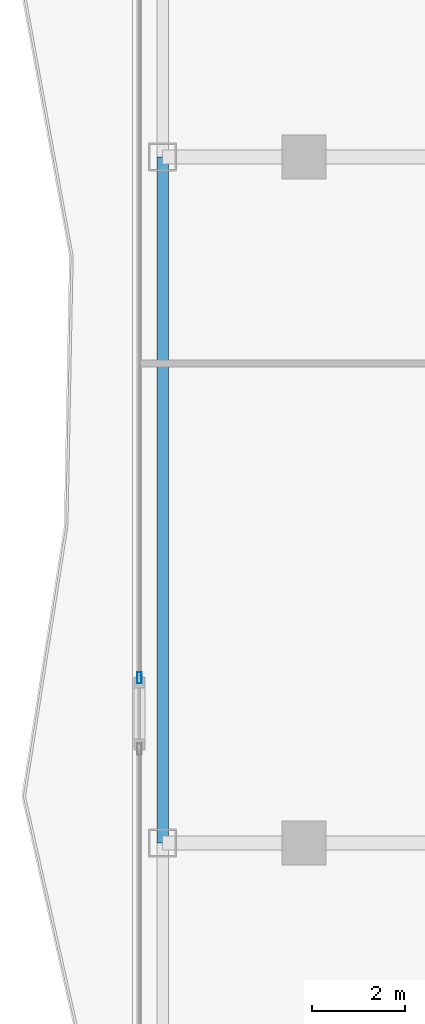
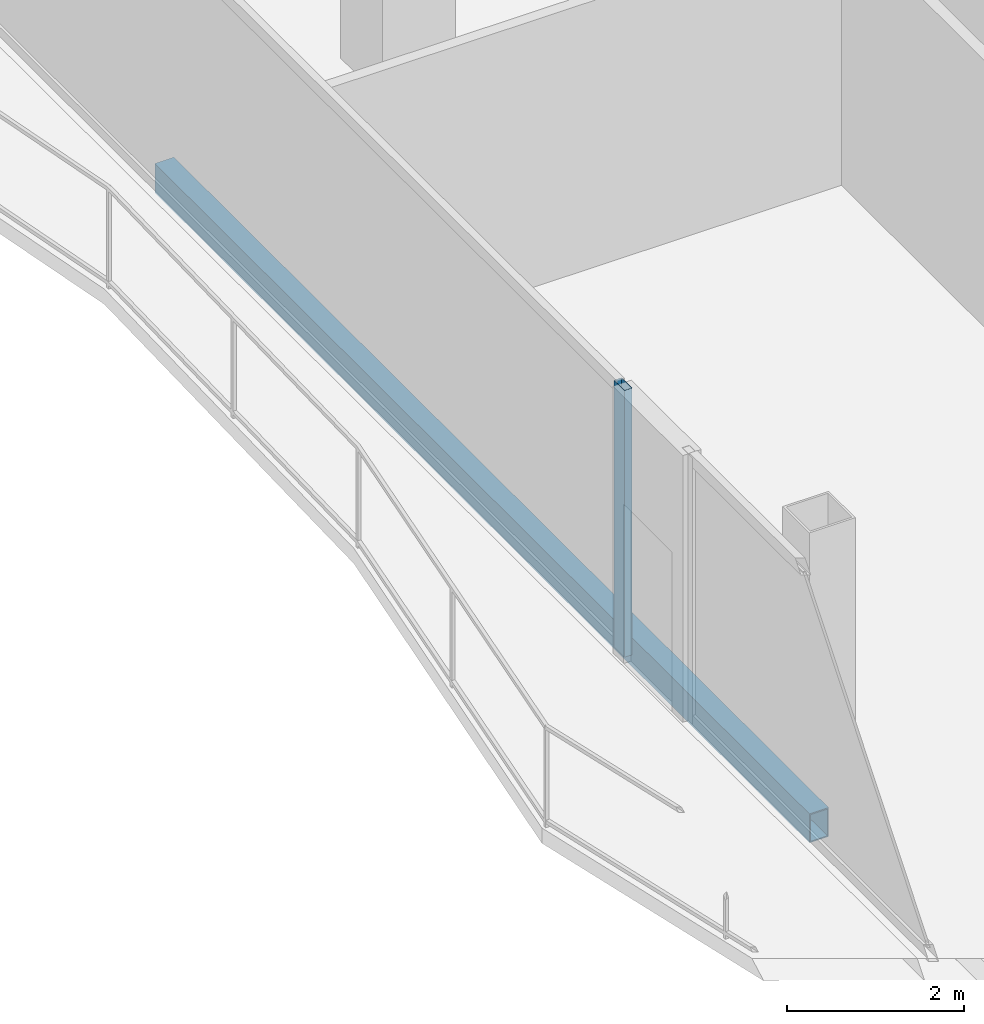
# One storey, part 8 of 27: 1 beam, 1 member, 1 element without a shape of its own.
"""IFC4 building model written with IfcOpenShell, lengths in metres."""

from ifc_helpers import new_model, si_unit, direction, frame, origin, origin_2d, place, context, subcontext, project, spatial, hollow_rectangle, extrude, material, layer, layer_set, material_profile, profile_set, type_object, element, aggregate, save


model = new_model("IFC4")

# Units and contexts
model_context = context("Model", 3, precision=1e-05, world=origin(), true_north=direction((0.0, 1.0)))
body_context = subcontext(model_context, "Body", "Model", "MODEL_VIEW")
ifc_project = project(units=[si_unit("LENGTHUNIT", "METRE"), si_unit("AREAUNIT", "SQUARE_METRE"), si_unit("VOLUMEUNIT", "CUBIC_METRE"), si_unit("PLANEANGLEUNIT", "RADIAN"), si_unit("MASSUNIT", "GRAM", prefix="KILO")], contexts=[model_context])

# Site, building, storey
site_placement = place(None, origin())
site = spatial("IfcSite", under=ifc_project, at=site_placement, CompositionType="ELEMENT")
building_placement = place(site_placement, origin())
building = spatial("IfcBuilding", under=site, at=building_placement, Name="Khorvyn Point Tower", CompositionType="ELEMENT")
storey_placement = place(building_placement, frame((0.0, 0.0, 246.89990234375)))
storey = spatial("IfcBuildingStorey", under=building, at=storey_placement, Name="L60", CompositionType="ELEMENT", Elevation=246.89990234375)

# Curtain wall, member
ifc_material_1 = material(Name="Anodised aluminium 6063-T6 and laminated Low-E glass", Category="aluminium")
ifc_layer = layer(ifc_material_1, 0.18994140625)
ifc_layer_set = layer_set([ifc_layer], Name="Stick-Built Acoustic Curtain Wall CW-SYS-03")
curtain_wall_type = type_object("IfcCurtainWallType", Name="Stick-Built Acoustic Curtain Wall CW-SYS-03", PredefinedType="NOTDEFINED", material=ifc_layer_set)
curtain_wall_placement = place(storey_placement, origin())
curtain_wall = element("IfcCurtainWall", 1, at=curtain_wall_placement, inside=storey, type_object=curtain_wall_type, Name="Curtain Wall", PredefinedType="NOTDEFINED")
ifc_material_2 = material(Name="Anodised aluminium 6063-T6", Category="aluminium")
ifc_material_profile_1 = material_profile(ifc_material_2, hollow_rectangle(XDim=0.10009765625, YDim=0.239990234375, WallThickness=0.0048828125, at=origin_2d()))
ifc_profile_set_1 = profile_set([ifc_material_profile_1], Name="Anodised aluminium 6063-T6 ALU-MUL-100x240")
member_type = type_object("IfcMemberType", Name="Anodised Aluminium 6063-T6 Mullion ALU-MUL-100x240", PredefinedType="MULLION", material=ifc_profile_set_1)
member_placement = place(storey_placement, frame((-18.35009765625, -3.8349609375, 0.0), z_axis=(0.0, 0.0, 1.0), x_axis=(-1.0, 0.0, 0.0)))
member = element("IfcMember", 2, at=member_placement, type_object=member_type, Name="Transom", PredefinedType="MULLION", context=body_context, shape_type="SweptSolid", body=[
    extrude(hollow_rectangle(XDim=0.10009765625, YDim=0.239990234375, WallThickness=0.0048828125, at=origin_2d()), origin(), (0.0, 0.0, 1.0), 3.68017578125),
])
aggregate(curtain_wall, [member])

# Beam
ifc_material_3 = material(Name="Steel S355", Category="steel")
ifc_material_profile_2 = material_profile(ifc_material_3, hollow_rectangle(XDim=0.25, YDim=0.39990234375, WallThickness=0.01611328125, at=origin_2d()))
ifc_profile_set_2 = profile_set([ifc_material_profile_2], Name="Steel S355 RHS400x250x16")
beam_type = type_object("IfcBeamType", Name="Steel S355 Spandrel RHS400x250x16", PredefinedType="SPANDREL", material=ifc_profile_set_2)
beam_placement = place(storey_placement, frame((-17.85009765625, -7.39990234375, -0.419921875), z_axis=(0.0, 1.0, 0.0), x_axis=(-1.0, 0.0, 0.0)))
element("IfcBeam", 3, at=beam_placement, inside=storey, type_object=beam_type, Name="Beam", PredefinedType="SPANDREL", context=body_context, shape_type="SweptSolid", body=[
    extrude(hollow_rectangle(XDim=0.25, YDim=0.39990234375, WallThickness=0.01611328125, at=origin_2d()), origin(), (0.0, 0.0, 1.0), 14.7998046875),
])

save(model, "model.ifc")
